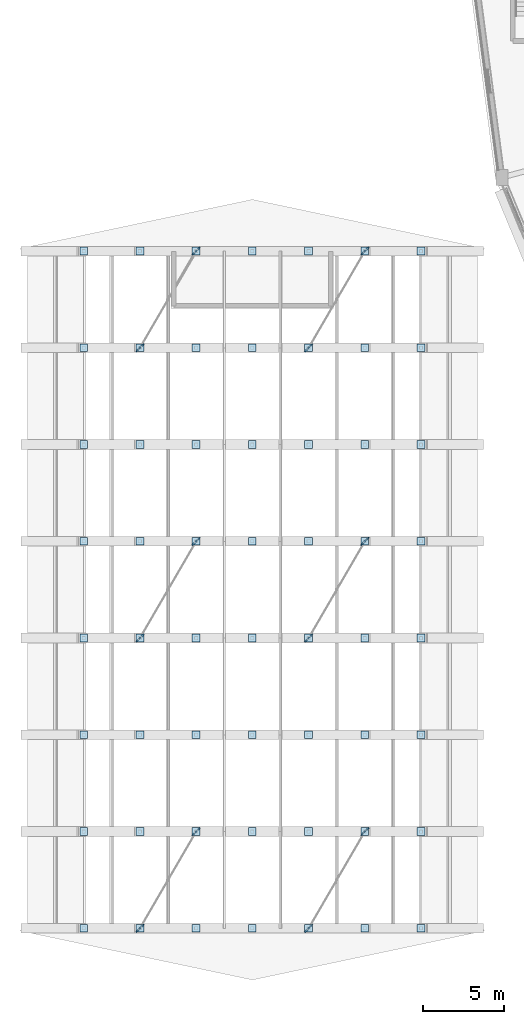
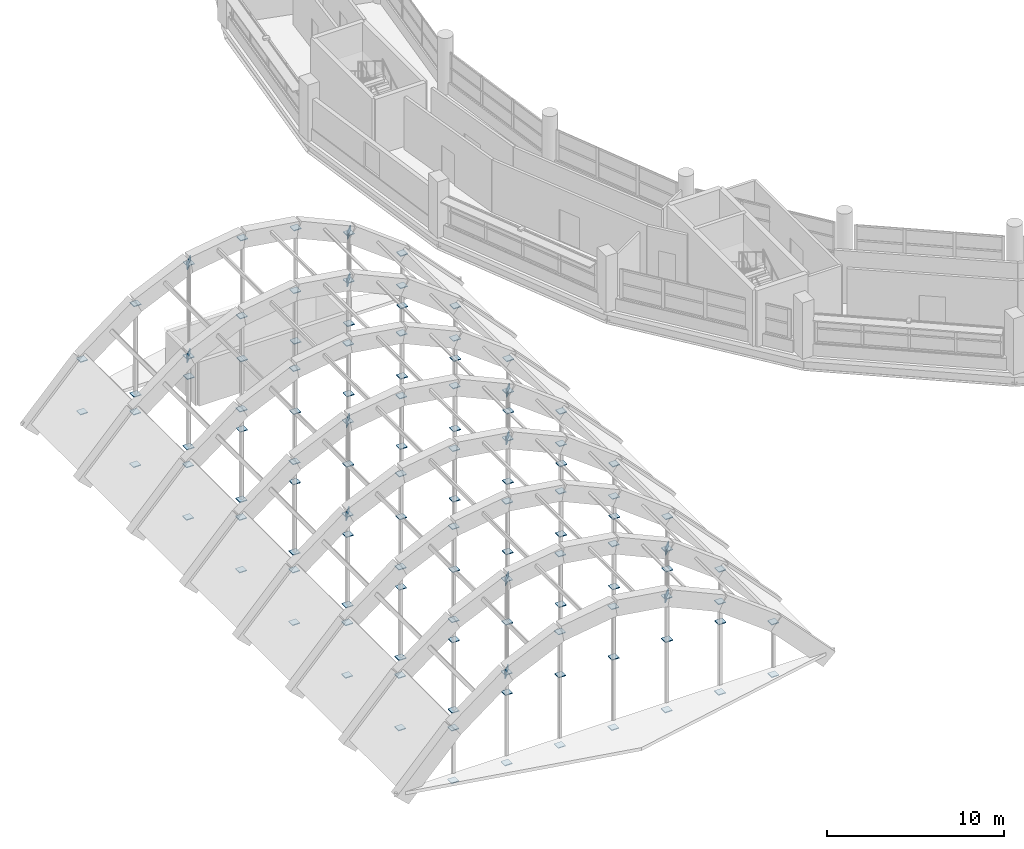
# One storey, part 72 of 88: 124 plates.
"""IFC4 building model written with IfcOpenShell, lengths in metres."""

from ifc_helpers import new_model, si_unit, direction, frame, origin, origin_2d, place, context, subcontext, project, spatial, rectangle, extrude, material, layer, layer_set, type_object, element, save


model = new_model("IFC4")

# Units and contexts
model_context = context("Model", 3, precision=1e-05, world=origin(), true_north=direction((0.0, 1.0)))
body_context = subcontext(model_context, "Body", "Model", "MODEL_VIEW")
ifc_project = project(units=[si_unit("LENGTHUNIT", "METRE"), si_unit("AREAUNIT", "SQUARE_METRE"), si_unit("VOLUMEUNIT", "CUBIC_METRE"), si_unit("PLANEANGLEUNIT", "RADIAN"), si_unit("MASSUNIT", "GRAM", prefix="KILO")], contexts=[model_context])

# Site, building, storey
site_placement = place(None, origin())
site = spatial("IfcSite", under=ifc_project, at=site_placement, CompositionType="ELEMENT")
building_placement = place(site_placement, origin())
building = spatial("IfcBuilding", under=site, at=building_placement, Name="Vespera Passage Community Centre", CompositionType="ELEMENT")
storey_placement = place(building_placement, frame((0.0, 0.0, 16.5)))
storey = spatial("IfcBuildingStorey", under=building, at=storey_placement, Name="L04", CompositionType="ELEMENT", Elevation=16.5)

# Plates
ifc_material_1 = material(Name="Steel ASTM A572 Grade 50", Category="steel")
ifc_layer_1 = layer(ifc_material_1, 0.054931640625)
ifc_layer_set_1 = layer_set([ifc_layer_1], Name="Steel ASTM A572 Grade 50")
plate_type_1 = type_object("IfcPlateType", Name="PL-CAP-55", PredefinedType="SHEET", material=ifc_layer_set_1)
for number, where, z_axis, x_axis, name in (
    (1, (7.53759765625, 7.0, -0.57275390625), (0.0, 0.0, 1.0), (1.0, 0.0, 0.0), "Main Hall Arch Post AR1.1 End Plate B"),
    (2, (7.53759765625, 7.0, 3.0576171875), (0.0, 0.0, 1.0), (1.0, 0.0, 0.0), "Main Hall Arch Post AR1.1 End Plate T"),
    (3, (11.02490234375, 7.0, -0.57275390625), (0.0, 0.0, 1.0), (1.0, 0.0, 0.0), "Main Hall Arch Post AR1.2 End Plate B"),
    (4, (11.02490234375, 7.0, 5.6826171875), (0.0, 0.0, 1.0), (1.0, 0.0, 0.0), "Main Hall Arch Post AR1.2 End Plate T"),
    (5, (14.512451171875, 7.0, -0.57275390625), (0.0, 0.0, 1.0), (1.0, 0.0, 0.0), "Main Hall Arch Post AR1.3 End Plate B"),
    (6, (14.512451171875, 7.0, 7.25732421875), (0.0, 0.0, 1.0), (1.0, 0.0, 0.0), "Main Hall Arch Post AR1.3 End Plate T"),
    (7, (18.0, 7.0, -0.57275390625), (0.0, 0.0, 1.0), (1.0, 0.0, 0.0), "Main Hall Arch Post AR1.4 End Plate B"),
    (8, (18.0, 7.0, 7.78271484375), (0.0, 0.0, 1.0), (1.0, 0.0, 0.0), "Main Hall Arch Post AR1.4 End Plate T"),
    (9, (21.487548828125, 7.0, -0.57275390625), (0.0, 0.0, 1.0), (1.0, 0.0, 0.0), "Main Hall Arch Post AR1.5 End Plate B"),
    (10, (21.487548828125, 7.0, 7.25732421875), (0.0, 0.0, 1.0), (1.0, 0.0, 0.0), "Main Hall Arch Post AR1.5 End Plate T"),
    (11, (24.97509765625, 7.0, -0.57275390625), (0.0, 0.0, 1.0), (1.0, 0.0, 0.0), "Main Hall Arch Post AR1.6 End Plate B"),
    (12, (24.97509765625, 7.0, 5.6826171875), (0.0, 0.0, 1.0), (1.0, 0.0, 0.0), "Main Hall Arch Post AR1.6 End Plate T"),
    (13, (28.46240234375, 7.0, -0.57275390625), (0.0, 0.0, 1.0), (1.0, 0.0, 0.0), "Main Hall Arch Post AR1.7 End Plate B"),
    (14, (28.46240234375, 7.0, 3.0576171875), (0.0, 0.0, 1.0), (1.0, 0.0, 0.0), "Main Hall Arch Post AR1.7 End Plate T"),
    (15, (7.53759765625, 13.0, -0.57275390625), (0.0, 0.0, 1.0), (1.0, 0.0, 0.0), "Main Hall Arch Post AR2.1 End Plate B"),
    (16, (7.53759765625, 13.0, 3.0576171875), (0.0, 0.0, 1.0), (1.0, 0.0, 0.0), "Main Hall Arch Post AR2.1 End Plate T"),
    (17, (11.02490234375, 13.0, -0.57275390625), (0.0, 0.0, 1.0), (1.0, 0.0, 0.0), "Main Hall Arch Post AR2.2 End Plate B"),
    (18, (11.02490234375, 13.0, 5.6826171875), (0.0, 0.0, 1.0), (1.0, 0.0, 0.0), "Main Hall Arch Post AR2.2 End Plate T"),
    (19, (14.512451171875, 13.0, -0.57275390625), (0.0, 0.0, 1.0), (1.0, 0.0, 0.0), "Main Hall Arch Post AR2.3 End Plate B"),
    (20, (14.512451171875, 13.0, 7.25732421875), (0.0, 0.0, 1.0), (1.0, 0.0, 0.0), "Main Hall Arch Post AR2.3 End Plate T"),
    (21, (18.0, 13.0, -0.57275390625), (0.0, 0.0, 1.0), (1.0, 0.0, 0.0), "Main Hall Arch Post AR2.4 End Plate B"),
    (22, (18.0, 13.0, 7.78271484375), (0.0, 0.0, 1.0), (1.0, 0.0, 0.0), "Main Hall Arch Post AR2.4 End Plate T"),
    (23, (21.487548828125, 13.0, -0.57275390625), (0.0, 0.0, 1.0), (1.0, 0.0, 0.0), "Main Hall Arch Post AR2.5 End Plate B"),
    (24, (21.487548828125, 13.0, 7.25732421875), (0.0, 0.0, 1.0), (1.0, 0.0, 0.0), "Main Hall Arch Post AR2.5 End Plate T"),
    (25, (24.97509765625, 13.0, -0.57275390625), (0.0, 0.0, 1.0), (1.0, 0.0, 0.0), "Main Hall Arch Post AR2.6 End Plate B"),
    (26, (24.97509765625, 13.0, 5.6826171875), (0.0, 0.0, 1.0), (1.0, 0.0, 0.0), "Main Hall Arch Post AR2.6 End Plate T"),
    (27, (28.46240234375, 13.0, -0.57275390625), (0.0, 0.0, 1.0), (1.0, 0.0, 0.0), "Main Hall Arch Post AR2.7 End Plate B"),
    (28, (28.46240234375, 13.0, 3.0576171875), (0.0, 0.0, 1.0), (1.0, 0.0, 0.0), "Main Hall Arch Post AR2.7 End Plate T"),
    (29, (7.53759765625, 19.0, -0.57275390625), (0.0, 0.0, 1.0), (1.0, 0.0, 0.0), "Main Hall Arch Post AR3.1 End Plate B"),
    (30, (7.53759765625, 19.0, 3.0576171875), (0.0, 0.0, 1.0), (1.0, 0.0, 0.0), "Main Hall Arch Post AR3.1 End Plate T"),
    (31, (11.02490234375, 19.0, -0.57275390625), (0.0, 0.0, 1.0), (1.0, 0.0, 0.0), "Main Hall Arch Post AR3.2 End Plate B"),
    (32, (11.02490234375, 19.0, 5.6826171875), (0.0, 0.0, 1.0), (1.0, 0.0, 0.0), "Main Hall Arch Post AR3.2 End Plate T"),
    (33, (14.512451171875, 19.0, -0.57275390625), (0.0, 0.0, 1.0), (1.0, 0.0, 0.0), "Main Hall Arch Post AR3.3 End Plate B"),
    (34, (14.512451171875, 19.0, 7.25732421875), (0.0, 0.0, 1.0), (1.0, 0.0, 0.0), "Main Hall Arch Post AR3.3 End Plate T"),
    (35, (18.0, 19.0, -0.57275390625), (0.0, 0.0, 1.0), (1.0, 0.0, 0.0), "Main Hall Arch Post AR3.4 End Plate B"),
    (36, (18.0, 19.0, 7.78271484375), (0.0, 0.0, 1.0), (1.0, 0.0, 0.0), "Main Hall Arch Post AR3.4 End Plate T"),
    (37, (21.487548828125, 19.0, -0.57275390625), (0.0, 0.0, 1.0), (1.0, 0.0, 0.0), "Main Hall Arch Post AR3.5 End Plate B"),
    (38, (21.487548828125, 19.0, 7.25732421875), (0.0, 0.0, 1.0), (1.0, 0.0, 0.0), "Main Hall Arch Post AR3.5 End Plate T"),
    (39, (24.97509765625, 19.0, -0.57275390625), (0.0, 0.0, 1.0), (1.0, 0.0, 0.0), "Main Hall Arch Post AR3.6 End Plate B"),
    (40, (24.97509765625, 19.0, 5.6826171875), (0.0, 0.0, 1.0), (1.0, 0.0, 0.0), "Main Hall Arch Post AR3.6 End Plate T"),
    (41, (28.46240234375, 19.0, -0.57275390625), (0.0, 0.0, 1.0), (1.0, 0.0, 0.0), "Main Hall Arch Post AR3.7 End Plate B"),
    (42, (28.46240234375, 19.0, 3.0576171875), (0.0, 0.0, 1.0), (1.0, 0.0, 0.0), "Main Hall Arch Post AR3.7 End Plate T"),
    (43, (7.53759765625, 25.0, -0.57275390625), (0.0, 0.0, 1.0), (1.0, 0.0, 0.0), "Main Hall Arch Post AR4.1 End Plate B"),
    (44, (7.53759765625, 25.0, 3.0576171875), (0.0, 0.0, 1.0), (1.0, 0.0, 0.0), "Main Hall Arch Post AR4.1 End Plate T"),
    (45, (11.02490234375, 25.0, -0.57275390625), (0.0, 0.0, 1.0), (1.0, 0.0, 0.0), "Main Hall Arch Post AR4.2 End Plate B"),
    (46, (11.02490234375, 25.0, 5.6826171875), (0.0, 0.0, 1.0), (1.0, 0.0, 0.0), "Main Hall Arch Post AR4.2 End Plate T"),
    (47, (14.512451171875, 25.0, -0.57275390625), (0.0, 0.0, 1.0), (1.0, 0.0, 0.0), "Main Hall Arch Post AR4.3 End Plate B"),
    (48, (14.512451171875, 25.0, 7.25732421875), (0.0, 0.0, 1.0), (1.0, 0.0, 0.0), "Main Hall Arch Post AR4.3 End Plate T"),
    (49, (18.0, 25.0, -0.57275390625), (0.0, 0.0, 1.0), (1.0, 0.0, 0.0), "Main Hall Arch Post AR4.4 End Plate B"),
    (50, (18.0, 25.0, 7.78271484375), (0.0, 0.0, 1.0), (1.0, 0.0, 0.0), "Main Hall Arch Post AR4.4 End Plate T"),
    (51, (21.487548828125, 25.0, -0.57275390625), (0.0, 0.0, 1.0), (1.0, 0.0, 0.0), "Main Hall Arch Post AR4.5 End Plate B"),
    (52, (21.487548828125, 25.0, 7.25732421875), (0.0, 0.0, 1.0), (1.0, 0.0, 0.0), "Main Hall Arch Post AR4.5 End Plate T"),
    (53, (24.97509765625, 25.0, -0.57275390625), (0.0, 0.0, 1.0), (1.0, 0.0, 0.0), "Main Hall Arch Post AR4.6 End Plate B"),
    (54, (24.97509765625, 25.0, 5.6826171875), (0.0, 0.0, 1.0), (1.0, 0.0, 0.0), "Main Hall Arch Post AR4.6 End Plate T"),
    (55, (28.46240234375, 25.0, -0.57275390625), (0.0, 0.0, 1.0), (1.0, 0.0, 0.0), "Main Hall Arch Post AR4.7 End Plate B"),
    (56, (28.46240234375, 25.0, 3.0576171875), (0.0, 0.0, 1.0), (1.0, 0.0, 0.0), "Main Hall Arch Post AR4.7 End Plate T"),
    (57, (7.53759765625, 31.0, -0.57275390625), (0.0, 0.0, 1.0), (1.0, 0.0, 0.0), "Main Hall Arch Post AR5.1 End Plate B"),
    (58, (7.53759765625, 31.0, 3.0576171875), (0.0, 0.0, 1.0), (1.0, 0.0, 0.0), "Main Hall Arch Post AR5.1 End Plate T"),
    (59, (11.02490234375, 31.0, -0.57275390625), (0.0, 0.0, 1.0), (1.0, 0.0, 0.0), "Main Hall Arch Post AR5.2 End Plate B"),
    (60, (11.02490234375, 31.0, 5.6826171875), (0.0, 0.0, 1.0), (1.0, 0.0, 0.0), "Main Hall Arch Post AR5.2 End Plate T"),
    (61, (14.512451171875, 31.0, -0.57275390625), (0.0, 0.0, 1.0), (1.0, 0.0, 0.0), "Main Hall Arch Post AR5.3 End Plate B"),
    (62, (14.512451171875, 31.0, 7.25732421875), (0.0, 0.0, 1.0), (1.0, 0.0, 0.0), "Main Hall Arch Post AR5.3 End Plate T"),
    (63, (18.0, 31.0, -0.57275390625), (0.0, 0.0, 1.0), (1.0, 0.0, 0.0), "Main Hall Arch Post AR5.4 End Plate B"),
    (64, (18.0, 31.0, 7.78271484375), (0.0, 0.0, 1.0), (1.0, 0.0, 0.0), "Main Hall Arch Post AR5.4 End Plate T"),
    (65, (21.487548828125, 31.0, -0.57275390625), (0.0, 0.0, 1.0), (1.0, 0.0, 0.0), "Main Hall Arch Post AR5.5 End Plate B"),
    (66, (21.487548828125, 31.0, 7.25732421875), (0.0, 0.0, 1.0), (1.0, 0.0, 0.0), "Main Hall Arch Post AR5.5 End Plate T"),
    (67, (24.97509765625, 31.0, -0.57275390625), (0.0, 0.0, 1.0), (1.0, 0.0, 0.0), "Main Hall Arch Post AR5.6 End Plate B"),
    (68, (24.97509765625, 31.0, 5.6826171875), (0.0, 0.0, 1.0), (1.0, 0.0, 0.0), "Main Hall Arch Post AR5.6 End Plate T"),
    (69, (28.46240234375, 31.0, -0.57275390625), (0.0, 0.0, 1.0), (1.0, 0.0, 0.0), "Main Hall Arch Post AR5.7 End Plate B"),
    (70, (28.46240234375, 31.0, 3.0576171875), (0.0, 0.0, 1.0), (1.0, 0.0, 0.0), "Main Hall Arch Post AR5.7 End Plate T"),
    (71, (7.53759765625, 37.0, -0.57275390625), (0.0, 0.0, 1.0), (1.0, 0.0, 0.0), "Main Hall Arch Post AR6.1 End Plate B"),
    (72, (7.53759765625, 37.0, 3.0576171875), (0.0, 0.0, 1.0), (1.0, 0.0, 0.0), "Main Hall Arch Post AR6.1 End Plate T"),
    (73, (11.02490234375, 37.0, -0.57275390625), (0.0, 0.0, 1.0), (1.0, 0.0, 0.0), "Main Hall Arch Post AR6.2 End Plate B"),
    (74, (11.02490234375, 37.0, 5.6826171875), (0.0, 0.0, 1.0), (1.0, 0.0, 0.0), "Main Hall Arch Post AR6.2 End Plate T"),
    (75, (14.512451171875, 37.0, -0.57275390625), (0.0, 0.0, 1.0), (1.0, 0.0, 0.0), "Main Hall Arch Post AR6.3 End Plate B"),
    (76, (14.512451171875, 37.0, 7.25732421875), (0.0, 0.0, 1.0), (1.0, 0.0, 0.0), "Main Hall Arch Post AR6.3 End Plate T"),
    (77, (18.0, 37.0, -0.57275390625), (0.0, 0.0, 1.0), (1.0, 0.0, 0.0), "Main Hall Arch Post AR6.4 End Plate B"),
    (78, (18.0, 37.0, 7.78271484375), (0.0, 0.0, 1.0), (1.0, 0.0, 0.0), "Main Hall Arch Post AR6.4 End Plate T"),
    (79, (21.487548828125, 37.0, -0.57275390625), (0.0, 0.0, 1.0), (1.0, 0.0, 0.0), "Main Hall Arch Post AR6.5 End Plate B"),
    (80, (21.487548828125, 37.0, 7.25732421875), (0.0, 0.0, 1.0), (1.0, 0.0, 0.0), "Main Hall Arch Post AR6.5 End Plate T"),
    (81, (24.97509765625, 37.0, -0.57275390625), (0.0, 0.0, 1.0), (1.0, 0.0, 0.0), "Main Hall Arch Post AR6.6 End Plate B"),
    (82, (24.97509765625, 37.0, 5.6826171875), (0.0, 0.0, 1.0), (1.0, 0.0, 0.0), "Main Hall Arch Post AR6.6 End Plate T"),
    (83, (28.46240234375, 37.0, -0.57275390625), (0.0, 0.0, 1.0), (1.0, 0.0, 0.0), "Main Hall Arch Post AR6.7 End Plate B"),
    (84, (28.46240234375, 37.0, 3.0576171875), (0.0, 0.0, 1.0), (1.0, 0.0, 0.0), "Main Hall Arch Post AR6.7 End Plate T"),
    (85, (7.53759765625, 43.0, -0.57275390625), (0.0, 0.0, 1.0), (1.0, 0.0, 0.0), "Main Hall Arch Post AR7.1 End Plate B"),
    (86, (7.53759765625, 43.0, 3.0576171875), (0.0, 0.0, 1.0), (1.0, 0.0, 0.0), "Main Hall Arch Post AR7.1 End Plate T"),
    (87, (11.02490234375, 43.0, -0.57275390625), (0.0, 0.0, 1.0), (1.0, 0.0, 0.0), "Main Hall Arch Post AR7.2 End Plate B"),
    (88, (11.02490234375, 43.0, 5.6826171875), (0.0, 0.0, 1.0), (1.0, 0.0, 0.0), "Main Hall Arch Post AR7.2 End Plate T"),
    (89, (14.512451171875, 43.0, -0.57275390625), (0.0, 0.0, 1.0), (1.0, 0.0, 0.0), "Main Hall Arch Post AR7.3 End Plate B"),
    (90, (14.512451171875, 43.0, 7.25732421875), (0.0, 0.0, 1.0), (1.0, 0.0, 0.0), "Main Hall Arch Post AR7.3 End Plate T"),
    (91, (18.0, 43.0, -0.57275390625), (0.0, 0.0, 1.0), (1.0, 0.0, 0.0), "Main Hall Arch Post AR7.4 End Plate B"),
    (92, (18.0, 43.0, 7.78271484375), (0.0, 0.0, 1.0), (1.0, 0.0, 0.0), "Main Hall Arch Post AR7.4 End Plate T"),
    (93, (21.487548828125, 43.0, -0.57275390625), (0.0, 0.0, 1.0), (1.0, 0.0, 0.0), "Main Hall Arch Post AR7.5 End Plate B"),
    (94, (21.487548828125, 43.0, 7.25732421875), (0.0, 0.0, 1.0), (1.0, 0.0, 0.0), "Main Hall Arch Post AR7.5 End Plate T"),
    (95, (24.97509765625, 43.0, -0.57275390625), (0.0, 0.0, 1.0), (1.0, 0.0, 0.0), "Main Hall Arch Post AR7.6 End Plate B"),
    (96, (24.97509765625, 43.0, 5.6826171875), (0.0, 0.0, 1.0), (1.0, 0.0, 0.0), "Main Hall Arch Post AR7.6 End Plate T"),
    (97, (28.46240234375, 43.0, -0.57275390625), (0.0, 0.0, 1.0), (1.0, 0.0, 0.0), "Main Hall Arch Post AR7.7 End Plate B"),
    (98, (28.46240234375, 43.0, 3.0576171875), (0.0, 0.0, 1.0), (1.0, 0.0, 0.0), "Main Hall Arch Post AR7.7 End Plate T"),
    (99, (7.53759765625, 49.0, -0.57275390625), (0.0, 0.0, 1.0), (1.0, 0.0, 0.0), "Main Hall Arch Post AR8.1 End Plate B"),
    (100, (7.53759765625, 49.0, 3.0576171875), (0.0, 0.0, 1.0), (1.0, 0.0, 0.0), "Main Hall Arch Post AR8.1 End Plate T"),
    (101, (11.02490234375, 49.0, -0.57275390625), (0.0, 0.0, 1.0), (1.0, 0.0, 0.0), "Main Hall Arch Post AR8.2 End Plate B"),
    (102, (11.02490234375, 49.0, 5.6826171875), (0.0, 0.0, 1.0), (1.0, 0.0, 0.0), "Main Hall Arch Post AR8.2 End Plate T"),
    (103, (14.512451171875, 49.0, -0.57275390625), (0.0, 0.0, 1.0), (1.0, 0.0, 0.0), "Main Hall Arch Post AR8.3 End Plate B"),
    (104, (14.512451171875, 49.0, 7.25732421875), (0.0, 0.0, 1.0), (1.0, 0.0, 0.0), "Main Hall Arch Post AR8.3 End Plate T"),
    (105, (18.0, 49.0, -0.57275390625), (0.0, 0.0, 1.0), (1.0, 0.0, 0.0), "Main Hall Arch Post AR8.4 End Plate B"),
    (106, (18.0, 49.0, 7.78271484375), (0.0, 0.0, 1.0), (1.0, 0.0, 0.0), "Main Hall Arch Post AR8.4 End Plate T"),
    (107, (21.487548828125, 49.0, -0.57275390625), (0.0, 0.0, 1.0), (1.0, 0.0, 0.0), "Main Hall Arch Post AR8.5 End Plate B"),
    (108, (21.487548828125, 49.0, 7.25732421875), (0.0, 0.0, 1.0), (1.0, 0.0, 0.0), "Main Hall Arch Post AR8.5 End Plate T"),
    (109, (24.97509765625, 49.0, -0.57275390625), (0.0, 0.0, 1.0), (1.0, 0.0, 0.0), "Main Hall Arch Post AR8.6 End Plate B"),
    (110, (24.97509765625, 49.0, 5.6826171875), (0.0, 0.0, 1.0), (1.0, 0.0, 0.0), "Main Hall Arch Post AR8.6 End Plate T"),
    (111, (28.46240234375, 49.0, -0.57275390625), (0.0, 0.0, 1.0), (1.0, 0.0, 0.0), "Main Hall Arch Post AR8.7 End Plate B"),
    (112, (28.46240234375, 49.0, 3.0576171875), (0.0, 0.0, 1.0), (1.0, 0.0, 0.0), "Main Hall Arch Post AR8.7 End Plate T"),
):
    element("IfcPlate", number, at=place(storey_placement, frame(where, z_axis=z_axis, x_axis=x_axis)), inside=storey, type_object=plate_type_1, Name=name, PredefinedType="SHEET", context=body_context, shape_type="SweptSolid", body=[
        extrude(rectangle(XDim=0.47998046875, YDim=0.47998046875, at=origin_2d()), origin(), (0.0, 0.0, 1.0), 0.054931640625),
    ])
ifc_material_2 = material(Name="Steel ASTM A572 Grade 50", Category="steel")
ifc_layer_2 = layer(ifc_material_2, 0.06494140625)
ifc_layer_set_2 = layer_set([ifc_layer_2], Name="Steel ASTM A572 Grade 50")
plate_type_2 = type_object("IfcPlateType", Name="PL-GUS-65", PredefinedType="SHEET", material=ifc_layer_set_2)
for number, where, z_axis, x_axis, name in (
    (113, (11.02490234375, 7.0, 5.469970703125), (0.0, 0.0, 1.0), (0.707106781187, 0.707106781187, 0.0), "Vault Wind Brace Gusset B1.3A"),
    (114, (14.512451171875, 13.0, 7.044921875), (0.0, 0.0, 1.0), (0.707106781187, 0.707106781187, 0.0), "Vault Wind Brace Gusset B1.3B"),
    (115, (21.487548828125, 7.0, 7.044921875), (0.0, 0.0, 1.0), (0.707106781187, 0.707106781187, 0.0), "Vault Wind Brace Gusset B1.6A"),
    (116, (24.97509765625, 13.0, 5.469970703125), (0.0, 0.0, 1.0), (0.707106781187, 0.707106781187, 0.0), "Vault Wind Brace Gusset B1.6B"),
    (117, (11.02490234375, 25.0, 5.469970703125), (0.0, 0.0, 1.0), (0.707106781187, 0.707106781187, 0.0), "Vault Wind Brace Gusset B4.3A"),
    (118, (14.512451171875, 31.0, 7.044921875), (0.0, 0.0, 1.0), (0.707106781187, 0.707106781187, 0.0), "Vault Wind Brace Gusset B4.3B"),
    (119, (21.487548828125, 25.0, 7.044921875), (0.0, 0.0, 1.0), (0.707106781187, 0.707106781187, 0.0), "Vault Wind Brace Gusset B4.6A"),
    (120, (24.97509765625, 31.0, 5.469970703125), (0.0, 0.0, 1.0), (0.707106781187, 0.707106781187, 0.0), "Vault Wind Brace Gusset B4.6B"),
    (121, (11.02490234375, 43.0, 5.469970703125), (0.0, 0.0, 1.0), (0.707106781187, 0.707106781187, 0.0), "Vault Wind Brace Gusset B7.3A"),
    (122, (14.512451171875, 49.0, 7.044921875), (0.0, 0.0, 1.0), (0.707106781187, 0.707106781187, 0.0), "Vault Wind Brace Gusset B7.3B"),
    (123, (21.487548828125, 43.0, 7.044921875), (0.0, 0.0, 1.0), (0.707106781187, 0.707106781187, 0.0), "Vault Wind Brace Gusset B7.6A"),
    (124, (24.97509765625, 49.0, 5.469970703125), (0.0, 0.0, 1.0), (0.707106781187, 0.707106781187, 0.0), "Vault Wind Brace Gusset B7.6B"),
):
    element("IfcPlate", number, at=place(storey_placement, frame(where, z_axis=z_axis, x_axis=x_axis)), inside=storey, type_object=plate_type_2, Name=name, PredefinedType="SHEET", context=body_context, shape_type="SweptSolid", body=[
        extrude(rectangle(XDim=0.679931640625, YDim=0.06494140625, at=origin_2d()), origin(), (0.0, 0.0, 1.0), 0.56005859375),
    ])

save(model, "model.ifc")
